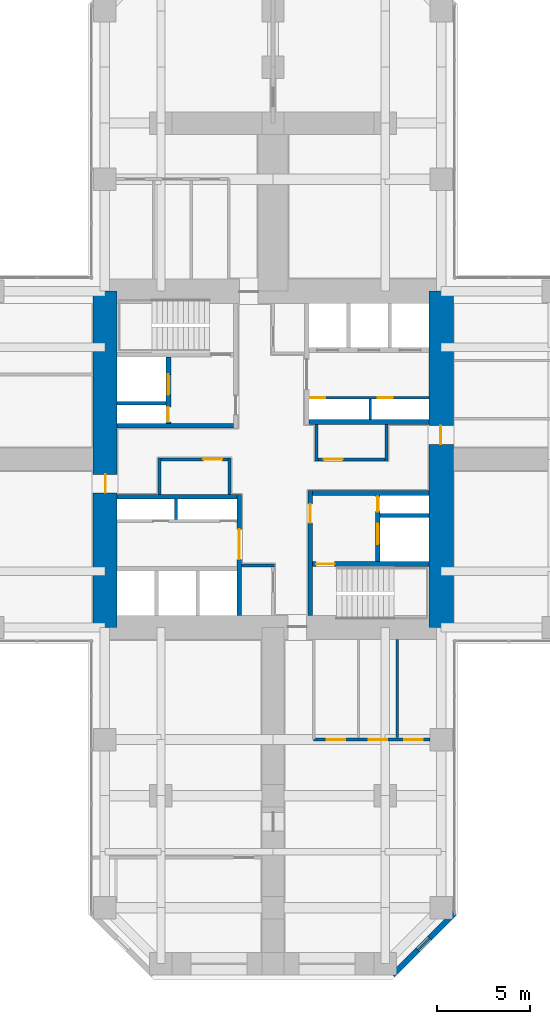
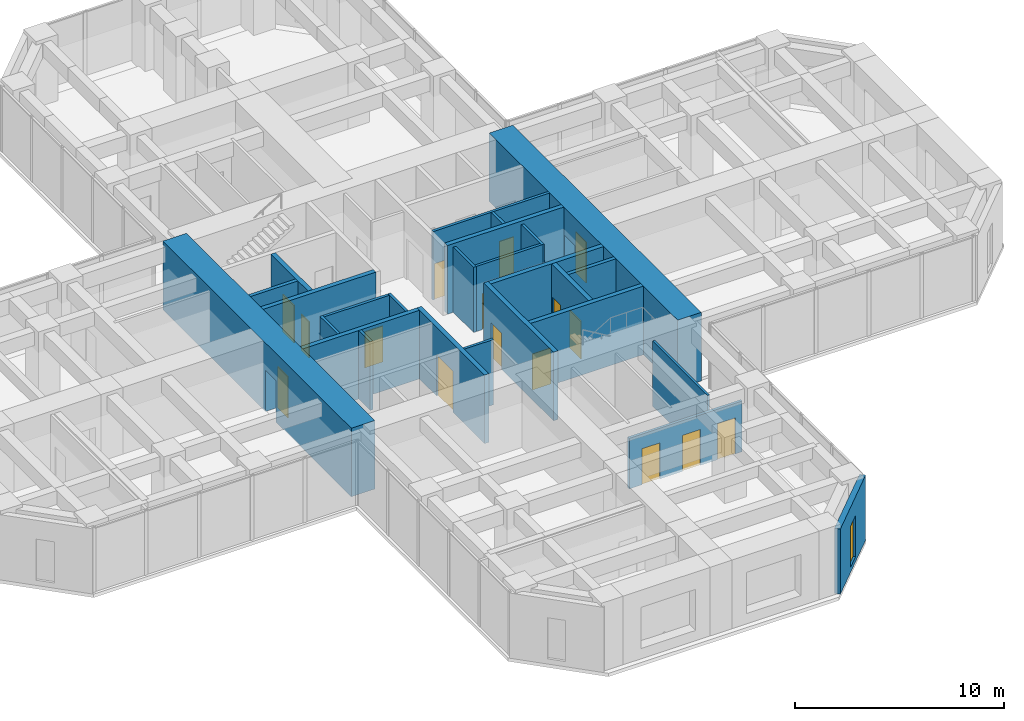
# One storey, part 9 of 12: 26 walls, 16 doors, 1 window, 17 openings.
"""IFC4 building model written with IfcOpenShell, lengths in metres."""

from ifc_helpers import new_model, si_unit, direction, frame, frame_2d, origin, place, context, subcontext, project, spatial, rectangle, hollow_rectangle, extrude, material, layer, layer_set, constituent, constituent_set, type_object, element, fill, save


model = new_model("IFC4")

# Units and contexts
model_context = context("Model", 3, precision=1e-05, world=origin(), true_north=direction((0.0, 1.0)))
body_context = subcontext(model_context, "Body", "Model", "MODEL_VIEW")
ifc_project = project(units=[si_unit("LENGTHUNIT", "METRE"), si_unit("AREAUNIT", "SQUARE_METRE"), si_unit("VOLUMEUNIT", "CUBIC_METRE"), si_unit("PLANEANGLEUNIT", "RADIAN"), si_unit("MASSUNIT", "GRAM", prefix="KILO")], contexts=[model_context])

# Site, building, storey
site_placement = place(None, origin())
site = spatial("IfcSite", under=ifc_project, at=site_placement, CompositionType="ELEMENT")
building_placement = place(site_placement, origin())
building = spatial("IfcBuilding", under=site, at=building_placement, Name="Torre Cruceta", CompositionType="ELEMENT")
storey_placement = place(building_placement, frame((0.0, 0.0, 59.5)))
storey = spatial("IfcBuildingStorey", under=building, at=storey_placement, Name="L14", CompositionType="ELEMENT", Elevation=59.5)

# Walls
ifc_material_1 = material(Name="Concrete G60 (fck 60 MPa)", Category="concrete")
ifc_layer_1 = layer(ifc_material_1, 0.25)
ifc_layer_set_1 = layer_set([ifc_layer_1], Name="Concrete G60 (fck 60 MPa)")
wall_type_1 = type_object("IfcWallType", Name="CORE INNER WALL 250 G60", PredefinedType="SHEAR", material=ifc_layer_set_1)
wall_1_placement = place(storey_placement, frame((1.925048828125, 2.0, 0.0), z_axis=(0.0, 0.0, 1.0), x_axis=(1.0, 0.0, 0.0)))
element("IfcWall", 1, at=wall_1_placement, inside=storey, type_object=wall_type_1, Name="CW4 L14 NE-CV", PredefinedType="SHEAR", context=body_context, shape_type="SweptSolid", body=[
    extrude(rectangle(XDim=6.425048828125, YDim=0.25, at=frame_2d((3.21240234375, 0.0))), origin(), (0.0, 0.0, 1.0), 4.0),
])
wall_2_placement = place(storey_placement, frame((-2.125, 1.800048828125, 0.0), z_axis=(0.0, 0.0, 1.0), x_axis=(-1.0, 0.0, 0.0)))
element("IfcWall", 2, at=wall_2_placement, inside=storey, type_object=wall_type_1, Name="CW4 L14 NW-CV", PredefinedType="SHEAR", context=body_context, shape_type="SweptSolid", body=[
    extrude(rectangle(XDim=6.22509765625, YDim=0.25, at=frame_2d((3.112548828125, 0.0))), origin(), (0.0, 0.0, 1.0), 4.0),
])

# Wall, openings, doors
wall_3_placement = place(storey_placement, frame((-5.60009765625, 1.925048828125, 0.0), z_axis=(0.0, 0.0, 1.0), x_axis=(0.0, 1.0, 0.0)))
wall_3 = element("IfcWall", 3, at=wall_3_placement, inside=storey, type_object=wall_type_1, Name="CW4 L14 NW-FU", PredefinedType="SHEAR", context=body_context, shape_type="SweptSolid", body=[
    extrude(rectangle(XDim=3.550048828125, YDim=0.25, at=frame_2d((1.77490234375, 0.0))), origin(), (0.0, 0.0, 1.0), 4.0),
])
opening_1_placement = place(wall_3_placement, frame((1.52490234375, 0.0, 0.0)))
opening_1 = element("IfcOpeningElement", 4, at=opening_1_placement, cuts=wall_3, Name="Opening LD1", PredefinedType="OPENING", context=body_context, shape_type="SweptSolid", body=[
    extrude(rectangle(XDim=1.10009765625, YDim=2.199951171875, at=frame_2d((0.550048828125, 1.10009765625))), frame((0.0, 0.135009765625, 0.0), z_axis=(0.0, -1.0, 0.0), x_axis=(1.0, 0.0, 0.0)), (0.0, 0.0, 1.0), 0.27001953125),
])
opening_2_placement = place(wall_3_placement, frame((0.074951171875, 0.0, 0.0)))
opening_2 = element("IfcOpeningElement", 5, at=opening_2_placement, cuts=wall_3, Name="Opening D5", PredefinedType="OPENING", context=body_context, shape_type="SweptSolid", body=[
    extrude(rectangle(XDim=0.800048828125, YDim=2.10009765625, at=frame_2d((0.39990234375, 1.050048828125))), frame((0.0, 0.135009765625, 0.0), z_axis=(0.0, -1.0, 0.0), x_axis=(1.0, 0.0, 0.0)), (0.0, 0.0, 1.0), 0.27001953125),
])
ifc_material_2 = material(Name="Stainless steel 1.4401", Category="steel")
door_type_1 = type_object("IfcDoorType", Name="LIFT LANDING DOOR 1100X2200", OperationType="DOUBLE_DOOR_SLIDING", PredefinedType="DOOR", material=ifc_material_2)
door_1_placement = place(opening_1_placement, origin())
door_1 = element("IfcDoor", 6, at=door_1_placement, inside=storey, type_object=door_type_1, Name="Lift landing door FL1", OperationType="DOUBLE_DOOR_SLIDING", OverallHeight=2.199951171875, OverallWidth=1.10009765625, PredefinedType="DOOR", context=body_context, shape_type="SweptSolid", body=[
    extrude(rectangle(XDim=1.10009765625, YDim=2.199951171875, at=frame_2d((0.550048828125, 1.10009765625))), frame((0.0, 0.02490234375, 0.0), z_axis=(0.0, -1.0, 0.0), x_axis=(1.0, 0.0, 0.0)), (0.0, 0.0, 1.0), 0.050048828125),
])
fill(opening_1, door_1)
ifc_material_3 = material(Name="Steel DX51D", Category="steel")
ifc_constituent_1 = constituent(ifc_material_3, Name="Leaf and frame")
ifc_material_4 = material(Name="Polyester powder coating", Category="paint")
ifc_constituent_2 = constituent(ifc_material_4, Name="Finish")
ifc_constituent_set_1 = constituent_set(constituents=[ifc_constituent_1, ifc_constituent_2], Name="Steel fire door")
door_type_2 = type_object("IfcDoorType", Name="RISER ACCESS DOOR 800X2100", OperationType="SINGLE_SWING_LEFT", PredefinedType="DOOR", material=ifc_constituent_set_1)
door_2_placement = place(opening_2_placement, origin())
door_2 = element("IfcDoor", 7, at=door_2_placement, inside=storey, type_object=door_type_2, Name="D5 L14 NW-RISER", OperationType="SINGLE_SWING_LEFT", OverallHeight=2.10009765625, OverallWidth=0.800048828125, PredefinedType="DOOR", context=body_context, shape_type="SweptSolid", body=[
    extrude(rectangle(XDim=0.800048828125, YDim=2.10009765625, at=frame_2d((0.39990234375, 1.050048828125))), frame((0.0, 0.02490234375, 0.0), z_axis=(0.0, -1.0, 0.0), x_axis=(1.0, 0.0, 0.0)), (0.0, 0.0, 1.0), 0.050048828125),
])
fill(opening_2, door_2)

# Wall, opening, door
wall_4_placement = place(storey_placement, frame((-1.800048828125, -1.875, 0.0), z_axis=(0.0, 0.0, 1.0), x_axis=(0.0, -1.0, 0.0)))
wall_4 = element("IfcWall", 8, at=wall_4_placement, inside=storey, type_object=wall_type_1, Name="CW4 L14 SW-CU", PredefinedType="SHEAR", context=body_context, shape_type="SweptSolid", body=[
    extrude(rectangle(XDim=6.47509765625, YDim=0.25, at=frame_2d((3.237548828125, 0.0))), origin(), (0.0, 0.0, 1.0), 4.0),
])
opening_3_placement = place(wall_4_placement, frame((1.875, 0.0, 0.0)))
opening_3 = element("IfcOpeningElement", 9, at=opening_3_placement, cuts=wall_4, Name="Opening D15", PredefinedType="OPENING", context=body_context, shape_type="SweptSolid", body=[
    extrude(rectangle(XDim=1.60009765625, YDim=2.39990234375, at=frame_2d((0.800048828125, 1.199951171875))), frame((0.0, 0.135009765625, 0.0), z_axis=(0.0, -1.0, 0.0), x_axis=(1.0, 0.0, 0.0)), (0.0, 0.0, 1.0), 0.27001953125),
])
ifc_material_5 = material(Name="Steel DX51D", Category="steel")
ifc_constituent_3 = constituent(ifc_material_5, Name="Leaf and frame")
ifc_material_6 = material(Name="Polyester powder coating", Category="paint")
ifc_constituent_4 = constituent(ifc_material_6, Name="Finish")
ifc_constituent_set_2 = constituent_set(constituents=[ifc_constituent_3, ifc_constituent_4], Name="Steel fire door")
door_type_3 = type_object("IfcDoorType", Name="CORE ROOM DOUBLE DOOR 1600X2400", OperationType="DOUBLE_DOOR_SINGLE_SWING", PredefinedType="DOOR", material=ifc_constituent_set_2)
door_3_placement = place(opening_3_placement, frame((1.60009765625, 0.0, 0.0), z_axis=(0.0, 0.0, 1.0), x_axis=(-1.0, 0.0, 0.0)))
door_3 = element("IfcDoor", 10, at=door_3_placement, inside=storey, type_object=door_type_3, Name="D15 L14 SW-LOBBY", OperationType="DOUBLE_DOOR_SINGLE_SWING", OverallHeight=2.39990234375, OverallWidth=1.60009765625, PredefinedType="DOOR", context=body_context, shape_type="SweptSolid", body=[
    extrude(rectangle(XDim=1.60009765625, YDim=2.39990234375, at=frame_2d((0.800048828125, 1.199951171875))), frame((0.0, 0.025146484375, 0.0), z_axis=(0.0, -1.0, 0.0), x_axis=(1.0, 0.0, 0.0)), (0.0, 0.0, 1.0), 0.050048828125),
])
fill(opening_3, door_3)

# Wall
wall_5_placement = place(storey_placement, frame((-1.925048828125, -2.0, 0.0), z_axis=(0.0, 0.0, 1.0), x_axis=(-1.0, 0.0, 0.0)))
element("IfcWall", 11, at=wall_5_placement, inside=storey, type_object=wall_type_1, Name="CW4 L14 SW-CV", PredefinedType="SHEAR", context=body_context, shape_type="SweptSolid", body=[
    extrude(rectangle(XDim=6.425048828125, YDim=0.25, at=frame_2d((3.21240234375, 0.0))), origin(), (0.0, 0.0, 1.0), 4.0),
])

# Wall, opening, door
wall_6_placement = place(storey_placement, frame((2.0, -1.675048828125, 0.0), z_axis=(0.0, 0.0, 1.0), x_axis=(0.0, -1.0, 0.0)))
wall_6 = element("IfcWall", 12, at=wall_6_placement, inside=storey, type_object=wall_type_1, Name="CW4 L14 SE-CU", PredefinedType="SHEAR", context=body_context, shape_type="SweptSolid", body=[
    extrude(rectangle(XDim=6.675048828125, YDim=0.25, at=frame_2d((3.33740234375, 0.0))), origin(), (0.0, 0.0, 1.0), 4.0),
])
opening_4_placement = place(wall_6_placement, frame((0.72509765625, 0.0, 0.0)))
opening_4 = element("IfcOpeningElement", 13, at=opening_4_placement, cuts=wall_6, Name="Opening D3", PredefinedType="OPENING", context=body_context, shape_type="SweptSolid", body=[
    extrude(rectangle(XDim=1.0, YDim=2.10009765625, at=frame_2d((0.5, 1.050048828125))), frame((0.0, 0.135009765625, 0.0), z_axis=(0.0, -1.0, 0.0), x_axis=(1.0, 0.0, 0.0)), (0.0, 0.0, 1.0), 0.27001953125),
])
ifc_material_7 = material(Name="Steel DX51D", Category="steel")
ifc_constituent_5 = constituent(ifc_material_7, Name="Leaf and frame")
ifc_material_8 = material(Name="Polyester powder coating", Category="paint")
ifc_constituent_6 = constituent(ifc_material_8, Name="Finish")
ifc_constituent_set_3 = constituent_set(constituents=[ifc_constituent_5, ifc_constituent_6], Name="Steel fire door")
door_type_4 = type_object("IfcDoorType", Name="FIRE DOOR 1000X2100", OperationType="SINGLE_SWING_LEFT", PredefinedType="DOOR", material=ifc_constituent_set_3)
door_4_placement = place(opening_4_placement, origin())
door_4 = element("IfcDoor", 14, at=door_4_placement, inside=storey, type_object=door_type_4, Name="D3 L14 SE-LOBBY", OperationType="SINGLE_SWING_LEFT", OverallHeight=2.10009765625, OverallWidth=1.0, PredefinedType="DOOR", context=body_context, shape_type="SweptSolid", body=[
    extrude(rectangle(XDim=1.0, YDim=2.10009765625, at=frame_2d((0.5, 1.050048828125))), frame((0.0, 0.02490234375, 0.0), z_axis=(0.0, -1.0, 0.0), x_axis=(1.0, 0.0, 0.0)), (0.0, 0.0, 1.0), 0.050048828125),
])
fill(opening_4, door_4)

# Wall
wall_7_placement = place(storey_placement, frame((2.125, -1.800048828125, 0.0), z_axis=(0.0, 0.0, 1.0), x_axis=(1.0, 0.0, 0.0)))
element("IfcWall", 15, at=wall_7_placement, inside=storey, type_object=wall_type_1, Name="CW4 L14 SE-CV", PredefinedType="SHEAR", context=body_context, shape_type="SweptSolid", body=[
    extrude(rectangle(XDim=6.22509765625, YDim=0.25, at=frame_2d((3.112548828125, 0.0))), origin(), (0.0, 0.0, 1.0), 4.0),
])

# Wall, opening, door
wall_8_placement = place(storey_placement, frame((2.125, -5.60009765625, 0.0), z_axis=(0.0, 0.0, 1.0), x_axis=(1.0, 0.0, 0.0)))
wall_8 = element("IfcWall", 16, at=wall_8_placement, inside=storey, type_object=wall_type_1, Name="CW4 L14 SE-SV", PredefinedType="SHEAR", context=body_context, shape_type="SweptSolid", body=[
    extrude(rectangle(XDim=6.22509765625, YDim=0.25, at=frame_2d((3.112548828125, 0.0))), origin(), (0.0, 0.0, 1.0), 4.0),
])
opening_5_placement = place(wall_8_placement, frame((0.175048828125, 0.0, 0.0)))
opening_5 = element("IfcOpeningElement", 17, at=opening_5_placement, cuts=wall_8, Name="Opening D3", PredefinedType="OPENING", context=body_context, shape_type="SweptSolid", body=[
    extrude(rectangle(XDim=1.0, YDim=2.10009765625, at=frame_2d((0.5, 1.050048828125))), frame((0.0, 0.135009765625, 0.0), z_axis=(0.0, -1.0, 0.0), x_axis=(1.0, 0.0, 0.0)), (0.0, 0.0, 1.0), 0.27001953125),
])
door_5_placement = place(opening_5_placement, frame((1.0, 0.0, 0.0), z_axis=(0.0, 0.0, 1.0), x_axis=(-1.0, 0.0, 0.0)))
door_5 = element("IfcDoor", 18, at=door_5_placement, inside=storey, type_object=door_type_4, Name="D3 L14 SE-STAIR", OperationType="SINGLE_SWING_RIGHT", OverallHeight=2.10009765625, OverallWidth=1.0, PredefinedType="DOOR", context=body_context, shape_type="SweptSolid", body=[
    extrude(rectangle(XDim=1.0, YDim=2.10009765625, at=frame_2d((0.5, 1.050048828125))), frame((0.0, 0.025146484375, 0.0), z_axis=(0.0, -1.0, 0.0), x_axis=(1.0, 0.0, 0.0)), (0.0, 0.0, 1.0), 0.050048828125),
])
fill(opening_5, door_5)

# Wall, openings, doors
wall_9_placement = place(storey_placement, frame((5.60009765625, -1.925048828125, 0.0), z_axis=(0.0, 0.0, 1.0), x_axis=(0.0, -1.0, 0.0)))
wall_9 = element("IfcWall", 19, at=wall_9_placement, inside=storey, type_object=wall_type_1, Name="CW4 L14 SE-FU", PredefinedType="SHEAR", context=body_context, shape_type="SweptSolid", body=[
    extrude(rectangle(XDim=3.550048828125, YDim=0.25, at=frame_2d((1.77490234375, 0.0))), origin(), (0.0, 0.0, 1.0), 4.0),
])
opening_6_placement = place(wall_9_placement, frame((1.52490234375, 0.0, 0.0)))
opening_6 = element("IfcOpeningElement", 20, at=opening_6_placement, cuts=wall_9, Name="Opening LD1", PredefinedType="OPENING", context=body_context, shape_type="SweptSolid", body=[
    extrude(rectangle(XDim=1.10009765625, YDim=2.199951171875, at=frame_2d((0.550048828125, 1.10009765625))), frame((0.0, 0.135009765625, 0.0), z_axis=(0.0, -1.0, 0.0), x_axis=(1.0, 0.0, 0.0)), (0.0, 0.0, 1.0), 0.27001953125),
])
opening_7_placement = place(wall_9_placement, frame((0.074951171875, 0.0, 0.0)))
opening_7 = element("IfcOpeningElement", 21, at=opening_7_placement, cuts=wall_9, Name="Opening D5", PredefinedType="OPENING", context=body_context, shape_type="SweptSolid", body=[
    extrude(rectangle(XDim=0.800048828125, YDim=2.10009765625, at=frame_2d((0.39990234375, 1.050048828125))), frame((0.0, 0.135009765625, 0.0), z_axis=(0.0, -1.0, 0.0), x_axis=(1.0, 0.0, 0.0)), (0.0, 0.0, 1.0), 0.27001953125),
])
door_6_placement = place(opening_6_placement, origin())
door_6 = element("IfcDoor", 22, at=door_6_placement, inside=storey, type_object=door_type_1, Name="Lift landing door FL2", OperationType="DOUBLE_DOOR_SLIDING", OverallHeight=2.199951171875, OverallWidth=1.10009765625, PredefinedType="DOOR", context=body_context, shape_type="SweptSolid", body=[
    extrude(rectangle(XDim=1.10009765625, YDim=2.199951171875, at=frame_2d((0.550048828125, 1.10009765625))), frame((0.0, 0.02490234375, 0.0), z_axis=(0.0, -1.0, 0.0), x_axis=(1.0, 0.0, 0.0)), (0.0, 0.0, 1.0), 0.050048828125),
])
fill(opening_6, door_6)
door_7_placement = place(opening_7_placement, origin())
door_7 = element("IfcDoor", 23, at=door_7_placement, inside=storey, type_object=door_type_2, Name="D5 L14 SE-RISER", OperationType="SINGLE_SWING_LEFT", OverallHeight=2.10009765625, OverallWidth=0.800048828125, PredefinedType="DOOR", context=body_context, shape_type="SweptSolid", body=[
    extrude(rectangle(XDim=0.800048828125, YDim=2.10009765625, at=frame_2d((0.39990234375, 1.050048828125))), frame((0.0, 0.02490234375, 0.0), z_axis=(0.0, -1.0, 0.0), x_axis=(1.0, 0.0, 0.0)), (0.0, 0.0, 1.0), 0.050048828125),
])
fill(opening_7, door_7)

# Wall, opening, door
ifc_material_9 = material(Name="Concrete G60 (fck 60 MPa)", Category="concrete")
ifc_layer_2 = layer(ifc_material_9, 1.300048828125)
ifc_layer_set_2 = layer_set([ifc_layer_2], Name="Concrete G60 (fck 60 MPa)")
wall_type_2 = type_object("IfcWallType", Name="CORE WALL 1300 G60", PredefinedType="SHEAR", material=ifc_layer_set_2)
wall_10_placement = place(storey_placement, frame((9.0, -9.0, 0.0), z_axis=(0.0, 0.0, 1.0), x_axis=(0.0, 1.0, 0.0)))
wall_10 = element("IfcWall", 24, at=wall_10_placement, inside=storey, type_object=wall_type_2, Name="CW1 L14 CW-E", PredefinedType="SHEAR", context=body_context, shape_type="SweptSolid", body=[
    extrude(rectangle(XDim=18.0, YDim=1.300048828125, at=frame_2d((9.0, 0.0))), origin(), (0.0, 0.0, 1.0), 4.0),
])
opening_8_placement = place(wall_10_placement, frame((9.800048828125, 0.0, 0.0)))
opening_8 = element("IfcOpeningElement", 25, at=opening_8_placement, cuts=wall_10, Name="Opening D4", PredefinedType="OPENING", context=body_context, shape_type="SweptSolid", body=[
    extrude(rectangle(XDim=1.0, YDim=2.39990234375, at=frame_2d((0.5, 1.199951171875))), frame((0.0, 0.659912109375, 0.0), z_axis=(0.0, -1.0, 0.0), x_axis=(1.0, 0.0, 0.0)), (0.0, 0.0, 1.0), 1.320068359375),
])
ifc_material_10 = material(Name="Steel DX51D", Category="steel")
ifc_constituent_7 = constituent(ifc_material_10, Name="Leaf and frame")
ifc_material_11 = material(Name="Polyester powder coating", Category="paint")
ifc_constituent_8 = constituent(ifc_material_11, Name="Finish")
ifc_constituent_set_4 = constituent_set(constituents=[ifc_constituent_7, ifc_constituent_8], Name="Steel fire door")
door_type_5 = type_object("IfcDoorType", Name="CORE ARM DOOR 1000X2400", OperationType="SINGLE_SWING_RIGHT", PredefinedType="DOOR", material=ifc_constituent_set_4)
door_8_placement = place(opening_8_placement, frame((1.0, 0.0, 0.0), z_axis=(0.0, 0.0, 1.0), x_axis=(-1.0, 0.0, 0.0)))
door_8 = element("IfcDoor", 26, at=door_8_placement, inside=storey, type_object=door_type_5, Name="D4 L14 CW-E", OperationType="SINGLE_SWING_RIGHT", OverallHeight=2.39990234375, OverallWidth=1.0, PredefinedType="DOOR", context=body_context, shape_type="SweptSolid", body=[
    extrude(rectangle(XDim=1.0, YDim=2.39990234375, at=frame_2d((0.5, 1.199951171875))), frame((0.0, -0.005126953125, 0.0), z_axis=(0.0, -1.0, 0.0), x_axis=(1.0, 0.0, 0.0)), (0.0, 0.0, 1.0), 0.050048828125),
])
fill(opening_8, door_8)

wall_11_placement = place(storey_placement, frame((-9.0, 9.0, 0.0), z_axis=(0.0, 0.0, 1.0), x_axis=(0.0, -1.0, 0.0)))
wall_11 = element("IfcWall", 27, at=wall_11_placement, inside=storey, type_object=wall_type_2, Name="CW1 L14 CW-W", PredefinedType="SHEAR", context=body_context, shape_type="SweptSolid", body=[
    extrude(rectangle(XDim=18.0, YDim=1.300048828125, at=frame_2d((9.0, 0.0))), origin(), (0.0, 0.0, 1.0), 4.0),
])
opening_9_placement = place(wall_11_placement, frame((9.800048828125, 0.0, 0.0)))
opening_9 = element("IfcOpeningElement", 28, at=opening_9_placement, cuts=wall_11, Name="Opening D4", PredefinedType="OPENING", context=body_context, shape_type="SweptSolid", body=[
    extrude(rectangle(XDim=1.0, YDim=2.39990234375, at=frame_2d((0.5, 1.199951171875))), frame((0.0, 0.659912109375, 0.0), z_axis=(0.0, -1.0, 0.0), x_axis=(1.0, 0.0, 0.0)), (0.0, 0.0, 1.0), 1.320068359375),
])
door_9_placement = place(opening_9_placement, frame((1.0, 0.0, 0.0), z_axis=(0.0, 0.0, 1.0), x_axis=(-1.0, 0.0, 0.0)))
door_9 = element("IfcDoor", 29, at=door_9_placement, inside=storey, type_object=door_type_5, Name="D4 L14 CW-W", OperationType="SINGLE_SWING_RIGHT", OverallHeight=2.39990234375, OverallWidth=1.0, PredefinedType="DOOR", context=body_context, shape_type="SweptSolid", body=[
    extrude(rectangle(XDim=1.0, YDim=2.39990234375, at=frame_2d((0.5, 1.199951171875))), frame((0.0, -0.005126953125, 0.0), z_axis=(0.0, -1.0, 0.0), x_axis=(1.0, 0.0, 0.0)), (0.0, 0.0, 1.0), 0.050048828125),
])
fill(opening_9, door_9)

# Wall, opening, window
ifc_material_12 = material(Name="Concrete G30 (fck 30 MPa)", Category="concrete")
ifc_layer_3 = layer(ifc_material_12, 0.300048828125)
ifc_layer_set_3 = layer_set([ifc_layer_3], Name="Concrete G30 (fck 30 MPa)")
wall_type_3 = type_object("IfcWallType", Name="EXPOSED CONCRETE FACADE WALL 300", PredefinedType="SOLIDWALL", material=ifc_layer_set_3)
wall_12_placement = place(storey_placement, frame((6.418212890625, -27.60009765625, 0.0), z_axis=(0.0, 0.0, 1.0), x_axis=(0.707106781187, 0.707106781187, 0.0)))
wall_12 = element("IfcWall", 30, at=wall_12_placement, inside=storey, type_object=wall_type_3, Name="EW1 facade wall L14 S chamfer 18", PredefinedType="SOLIDWALL", context=body_context, shape_type="SweptSolid", body=[
    extrude(rectangle(XDim=4.66943359375, YDim=0.300048828125, at=frame_2d((2.334716796875, 0.0))), origin(), (0.0, 0.0, 1.0), 3.800048828125),
])
opening_10_placement = place(wall_12_placement, frame((1.884765625, 0.0, 0.300048828125)))
opening_10 = element("IfcOpeningElement", 31, at=opening_10_placement, cuts=wall_12, Name="Opening WN5", PredefinedType="OPENING", context=body_context, shape_type="SweptSolid", body=[
    extrude(rectangle(XDim=0.89990234375, YDim=2.39990234375, at=frame_2d((0.449951171875, 1.199951171875))), frame((0.0, 0.159912109375, 0.0), z_axis=(0.0, -1.0, 0.0), x_axis=(1.0, 0.0, 0.0)), (0.0, 0.0, 1.0), 0.320068359375),
])
ifc_material_13 = material(Name="Aluminium window frame", Category="aluminium")
ifc_constituent_9 = constituent(ifc_material_13, Name="Frame")
ifc_material_14 = material(Name="Laminated insulating glass unit, low-iron clear", Category="glass")
ifc_constituent_10 = constituent(ifc_material_14, Name="Glazing")
ifc_constituent_set_5 = constituent_set(constituents=[ifc_constituent_9, ifc_constituent_10], Name="Aluminium window")
window_type = type_object("IfcWindowType", Name="CHAMFER SLOT WINDOW 900X2400", PartitioningType="SINGLE_PANEL", PredefinedType="WINDOW", material=ifc_constituent_set_5)
window_placement = place(opening_10_placement, origin())
window = element("IfcWindow", 32, at=window_placement, inside=storey, type_object=window_type, Name="WN5 L14 S 1", OverallHeight=2.39990234375, OverallWidth=0.89990234375, PartitioningType="SINGLE_PANEL", PredefinedType="WINDOW", context=body_context, shape_type="SweptSolid", body=[
    extrude(hollow_rectangle(XDim=0.89990234375, YDim=2.39990234375, WallThickness=0.06005859375, at=frame_2d((0.449951171875, 1.199951171875))), frame((0.0, 0.030029296875, 0.0), z_axis=(0.0, -1.0, 0.0), x_axis=(1.0, 0.0, 0.0)), (0.0, 0.0, 1.0), 0.06005859375),
    extrude(rectangle(XDim=0.77880859375, YDim=2.27880859375, at=frame_2d((0.449951171875, 1.199951171875))), frame((0.0, 0.030029296875, 0.0), z_axis=(0.0, -1.0, 0.0), x_axis=(1.0, 0.0, 0.0)), (0.0, 0.0, 1.0), 0.06005859375),
])
fill(opening_10, window)

# Walls
ifc_material_15 = material(Name="Concrete G35 (fck 35 MPa)", Category="concrete")
ifc_layer_4 = layer(ifc_material_15, 0.199951171875)
ifc_layer_set_4 = layer_set([ifc_layer_4], Name="Concrete G35 (fck 35 MPa)")
wall_type_4 = type_object("IfcWallType", Name="LIFT SHAFT WALL 200", PredefinedType="PARTITIONING", material=ifc_layer_set_4)
for number, where, z_axis, x_axis, name in (
    (33, (-5.72509765625, 3.0, 0.0), (0.0, 0.0, 1.0), (-1.0, 0.0, 0.0), "SW1 L14 NW-FR"),
    (34, (5.72509765625, -3.0, 0.0), (0.0, 0.0, 1.0), (1.0, 0.0, 0.0), "SW1 L14 SE-FR"),
):
    element("IfcWall", number, at=place(storey_placement, frame(where, z_axis=z_axis, x_axis=x_axis)), inside=storey, type_object=wall_type_4, Name=name, PredefinedType="PARTITIONING", context=body_context, shape_type="SweptSolid", body=[
        extrude(rectangle(XDim=2.625, YDim=0.199951171875, at=frame_2d((1.3125, 0.0))), origin(), (0.0, 0.0, 1.0), 4.0),
    ])

# Wall, opening, door
ifc_material_16 = material(Name="Plasterboard on steel studs", Category="steel")
ifc_layer_5 = layer(ifc_material_16, 0.14990234375)
ifc_layer_set_5 = layer_set([ifc_layer_5], Name="Plasterboard on steel studs")
wall_type_5 = type_object("IfcWallType", Name="PARTITION 150", PredefinedType="PARTITIONING", material=ifc_layer_set_5)
wall_13_placement = place(storey_placement, frame((2.324951171875, 0.0, 0.0), z_axis=(0.0, 0.0, 1.0), x_axis=(1.0, 0.0, 0.0)))
wall_13 = element("IfcWall", 35, at=wall_13_placement, inside=storey, type_object=wall_type_5, Name="PT1 L14-CORE-LEGE-N-W1", PredefinedType="PARTITIONING", context=body_context, shape_type="SweptSolid", body=[
    extrude(rectangle(XDim=3.75, YDim=0.14990234375, at=frame_2d((1.875, 0.0))), origin(), (0.0, 0.0, 1.0), 3.800048828125),
])
opening_11_placement = place(wall_13_placement, frame((0.39990234375, 0.0, 0.0)))
opening_11 = element("IfcOpeningElement", 36, at=opening_11_placement, cuts=wall_13, Name="Opening D3", PredefinedType="OPENING", context=body_context, shape_type="SweptSolid", body=[
    extrude(rectangle(XDim=1.0, YDim=2.10009765625, at=frame_2d((0.5, 1.050048828125))), frame((0.0, 0.0849609375, 0.0), z_axis=(0.0, -1.0, 0.0), x_axis=(1.0, 0.0, 0.0)), (0.0, 0.0, 1.0), 0.169921875),
])
door_10_placement = place(opening_11_placement, origin())
door_10 = element("IfcDoor", 37, at=door_10_placement, inside=storey, type_object=door_type_4, Name="D3 L14-CORE-LEGE-N-W1-D1", OperationType="SINGLE_SWING_LEFT", OverallHeight=2.10009765625, OverallWidth=1.0, PredefinedType="DOOR", context=body_context, shape_type="SweptSolid", body=[
    extrude(rectangle(XDim=1.0, YDim=2.10009765625, at=frame_2d((0.5, 1.050048828125))), frame((0.0, 0.02490234375, 0.0), z_axis=(0.0, -1.0, 0.0), x_axis=(1.0, 0.0, 0.0)), (0.0, 0.0, 1.0), 0.050048828125),
])
fill(opening_11, door_10)

# Walls
for number, where, z_axis, x_axis, name in (
    (38, (2.324951171875, 1.875, 0.0), (0.0, 0.0, 1.0), (0.0, -1.0, 0.0), "PT1 L14-CORE-LEGE-N-W2"),
    (39, (6.074951171875, -0.074951171875, 0.0), (0.0, 0.0, 1.0), (0.0, 1.0, 0.0), "PT1 L14-CORE-LEGE-N-W3"),
):
    element("IfcWall", number, at=place(storey_placement, frame(where, z_axis=z_axis, x_axis=x_axis)), inside=storey, type_object=wall_type_5, Name=name, PredefinedType="PARTITIONING", context=body_context, shape_type="SweptSolid", body=[
        extrude(rectangle(XDim=1.949951171875, YDim=0.14990234375, at=frame_2d((0.97509765625, 0.0))), origin(), (0.0, 0.0, 1.0), 3.800048828125),
    ])

# Wall, opening, door
wall_14_placement = place(storey_placement, frame((-2.324951171875, 0.0, 0.0), z_axis=(0.0, 0.0, 1.0), x_axis=(-1.0, 0.0, 0.0)))
wall_14 = element("IfcWall", 40, at=wall_14_placement, inside=storey, type_object=wall_type_5, Name="PT1 L14-CORE-LEGW-S-W1", PredefinedType="PARTITIONING", context=body_context, shape_type="SweptSolid", body=[
    extrude(rectangle(XDim=3.75, YDim=0.14990234375, at=frame_2d((1.875, 0.0))), origin(), (0.0, 0.0, 1.0), 3.800048828125),
])
opening_12_placement = place(wall_14_placement, frame((0.39990234375, 0.0, 0.0)))
opening_12 = element("IfcOpeningElement", 41, at=opening_12_placement, cuts=wall_14, Name="Opening D3", PredefinedType="OPENING", context=body_context, shape_type="SweptSolid", body=[
    extrude(rectangle(XDim=1.0, YDim=2.10009765625, at=frame_2d((0.5, 1.050048828125))), frame((0.0, 0.0849609375, 0.0), z_axis=(0.0, -1.0, 0.0), x_axis=(1.0, 0.0, 0.0)), (0.0, 0.0, 1.0), 0.169921875),
])
door_11_placement = place(opening_12_placement, origin())
door_11 = element("IfcDoor", 42, at=door_11_placement, inside=storey, type_object=door_type_4, Name="D3 L14-CORE-LEGW-S-W1-D1", OperationType="SINGLE_SWING_LEFT", OverallHeight=2.10009765625, OverallWidth=1.0, PredefinedType="DOOR", context=body_context, shape_type="SweptSolid", body=[
    extrude(rectangle(XDim=1.0, YDim=2.10009765625, at=frame_2d((0.5, 1.050048828125))), frame((0.0, 0.02490234375, 0.0), z_axis=(0.0, -1.0, 0.0), x_axis=(1.0, 0.0, 0.0)), (0.0, 0.0, 1.0), 0.050048828125),
])
fill(opening_12, door_11)

# Walls
for number, where, z_axis, x_axis, name in (
    (43, (-2.324951171875, -1.875, 0.0), (0.0, 0.0, 1.0), (0.0, 1.0, 0.0), "PT1 L14-CORE-LEGW-S-W2"),
    (44, (-6.074951171875, 0.074951171875, 0.0), (0.0, 0.0, 1.0), (0.0, -1.0, 0.0), "PT1 L14-CORE-LEGW-S-W3"),
):
    element("IfcWall", number, at=place(storey_placement, frame(where, z_axis=z_axis, x_axis=x_axis)), inside=storey, type_object=wall_type_5, Name=name, PredefinedType="PARTITIONING", context=body_context, shape_type="SweptSolid", body=[
        extrude(rectangle(XDim=1.949951171875, YDim=0.14990234375, at=frame_2d((0.97509765625, 0.0))), origin(), (0.0, 0.0, 1.0), 3.800048828125),
    ])
wall_15_placement = place(storey_placement, frame((-1.675048828125, -5.675048828125, 0.0), z_axis=(0.0, 0.0, 1.0), x_axis=(1.0, 0.0, 0.0)))
element("IfcWall", 45, at=wall_15_placement, inside=storey, type_object=wall_type_5, Name="PT1 L14-CORE-LEGS-W-W2", PredefinedType="PARTITIONING", context=body_context, shape_type="SweptSolid", body=[
    extrude(rectangle(XDim=1.75, YDim=0.14990234375, at=frame_2d((0.875, 0.0))), origin(), (0.0, 0.0, 1.0), 3.800048828125),
])

# Wall, openings, doors
wall_16_placement = place(storey_placement, frame((2.175048828125, -15.0, 0.0), z_axis=(0.0, 0.0, 1.0), x_axis=(1.0, 0.0, 0.0)))
wall_16 = element("IfcWall", 46, at=wall_16_placement, inside=storey, type_object=wall_type_5, Name="PT1 L14-S-BFL", PredefinedType="PARTITIONING", context=body_context, shape_type="SweptSolid", body=[
    extrude(rectangle(XDim=6.224853515625, YDim=0.14990234375, at=frame_2d((3.1123046875, 0.0))), origin(), (0.0, 0.0, 1.0), 2.949951171875),
])
opening_13_placement = place(wall_16_placement, frame((0.699951171875, 0.0, 0.0)))
opening_13 = element("IfcOpeningElement", 47, at=opening_13_placement, cuts=wall_16, Name="Opening D3", PredefinedType="OPENING", context=body_context, shape_type="SweptSolid", body=[
    extrude(rectangle(XDim=1.0, YDim=2.10009765625, at=frame_2d((0.5, 1.050048828125))), frame((0.0, 0.0849609375, 0.0), z_axis=(0.0, -1.0, 0.0), x_axis=(1.0, 0.0, 0.0)), (0.0, 0.0, 1.0), 0.169921875),
])
opening_14_placement = place(wall_16_placement, frame((2.9375, 0.0, 0.0)))
opening_14 = element("IfcOpeningElement", 48, at=opening_14_placement, cuts=wall_16, Name="Opening D3", PredefinedType="OPENING", context=body_context, shape_type="SweptSolid", body=[
    extrude(rectangle(XDim=1.0, YDim=2.10009765625, at=frame_2d((0.5, 1.050048828125))), frame((0.0, 0.0849609375, 0.0), z_axis=(0.0, -1.0, 0.0), x_axis=(1.0, 0.0, 0.0)), (0.0, 0.0, 1.0), 0.169921875),
])
opening_15_placement = place(wall_16_placement, frame((4.85009765625, 0.0, 0.0)))
opening_15 = element("IfcOpeningElement", 49, at=opening_15_placement, cuts=wall_16, Name="Opening D3", PredefinedType="OPENING", context=body_context, shape_type="SweptSolid", body=[
    extrude(rectangle(XDim=1.0, YDim=2.10009765625, at=frame_2d((0.5, 1.050048828125))), frame((0.0, 0.0849609375, 0.0), z_axis=(0.0, -1.0, 0.0), x_axis=(1.0, 0.0, 0.0)), (0.0, 0.0, 1.0), 0.169921875),
])
door_12_placement = place(opening_13_placement, origin())
door_12 = element("IfcDoor", 50, at=door_12_placement, inside=storey, type_object=door_type_4, Name="D3 L14-S-BFL-D1", OperationType="SINGLE_SWING_LEFT", OverallHeight=2.10009765625, OverallWidth=1.0, PredefinedType="DOOR", context=body_context, shape_type="SweptSolid", body=[
    extrude(rectangle(XDim=1.0, YDim=2.10009765625, at=frame_2d((0.5, 1.050048828125))), frame((0.0, 0.02490234375, 0.0), z_axis=(0.0, -1.0, 0.0), x_axis=(1.0, 0.0, 0.0)), (0.0, 0.0, 1.0), 0.050048828125),
])
fill(opening_13, door_12)
door_13_placement = place(opening_14_placement, origin())
door_13 = element("IfcDoor", 51, at=door_13_placement, inside=storey, type_object=door_type_4, Name="D3 L14-S-BFL-D2", OperationType="SINGLE_SWING_RIGHT", OverallHeight=2.10009765625, OverallWidth=1.0, PredefinedType="DOOR", context=body_context, shape_type="SweptSolid", body=[
    extrude(rectangle(XDim=1.0, YDim=2.10009765625, at=frame_2d((0.5, 1.050048828125))), frame((0.0, 0.02490234375, 0.0), z_axis=(0.0, -1.0, 0.0), x_axis=(1.0, 0.0, 0.0)), (0.0, 0.0, 1.0), 0.050048828125),
])
fill(opening_14, door_13)
door_14_placement = place(opening_15_placement, origin())
door_14 = element("IfcDoor", 52, at=door_14_placement, inside=storey, type_object=door_type_4, Name="D3 L14-S-BFL-D3", OperationType="SINGLE_SWING_LEFT", OverallHeight=2.10009765625, OverallWidth=1.0, PredefinedType="DOOR", context=body_context, shape_type="SweptSolid", body=[
    extrude(rectangle(XDim=1.0, YDim=2.10009765625, at=frame_2d((0.5, 1.050048828125))), frame((0.0, 0.02490234375, 0.0), z_axis=(0.0, -1.0, 0.0), x_axis=(1.0, 0.0, 0.0)), (0.0, 0.0, 1.0), 0.050048828125),
])
fill(opening_15, door_14)

ifc_material_17 = material(Name="Concrete block masonry", Category="masonry")
ifc_layer_6 = layer(ifc_material_17, 0.14990234375)
ifc_layer_set_6 = layer_set([ifc_layer_6], Name="Concrete block masonry")
wall_type_6 = type_object("IfcWallType", Name="RISER WALL 150", PredefinedType="PARTITIONING", material=ifc_layer_set_6)
wall_17_placement = place(storey_placement, frame((1.925048828125, 3.300048828125, 0.0), z_axis=(0.0, 0.0, 1.0), x_axis=(1.0, 0.0, 0.0)))
wall_17 = element("IfcWall", 53, at=wall_17_placement, inside=storey, type_object=wall_type_6, Name="SW7 L14 NE-RV", PredefinedType="PARTITIONING", context=body_context, shape_type="SweptSolid", body=[
    extrude(rectangle(XDim=6.425048828125, YDim=0.14990234375, at=frame_2d((3.21240234375, 0.0))), origin(), (0.0, 0.0, 1.0), 4.0),
])
opening_16_placement = place(wall_17_placement, frame((0.074951171875, 0.0, 0.0)))
opening_16 = element("IfcOpeningElement", 54, at=opening_16_placement, cuts=wall_17, Name="Opening D5", PredefinedType="OPENING", context=body_context, shape_type="SweptSolid", body=[
    extrude(rectangle(XDim=0.800048828125, YDim=2.10009765625, at=frame_2d((0.39990234375, 1.050048828125))), frame((0.0, 0.0849609375, 0.0), z_axis=(0.0, -1.0, 0.0), x_axis=(1.0, 0.0, 0.0)), (0.0, 0.0, 1.0), 0.169921875),
])
opening_17_placement = place(wall_17_placement, frame((3.675048828125, 0.0, 0.0)))
opening_17 = element("IfcOpeningElement", 55, at=opening_17_placement, cuts=wall_17, Name="Opening D5", PredefinedType="OPENING", context=body_context, shape_type="SweptSolid", body=[
    extrude(rectangle(XDim=0.800048828125, YDim=2.10009765625, at=frame_2d((0.39990234375, 1.050048828125))), frame((0.0, 0.0849609375, 0.0), z_axis=(0.0, -1.0, 0.0), x_axis=(1.0, 0.0, 0.0)), (0.0, 0.0, 1.0), 0.169921875),
])
door_15_placement = place(opening_16_placement, frame((0.800048828125, 0.0, 0.0), z_axis=(0.0, 0.0, 1.0), x_axis=(-1.0, 0.0, 0.0)))
door_15 = element("IfcDoor", 56, at=door_15_placement, inside=storey, type_object=door_type_2, Name="D5 L14 NE-RISER1", OperationType="SINGLE_SWING_RIGHT", OverallHeight=2.10009765625, OverallWidth=0.800048828125, PredefinedType="DOOR", context=body_context, shape_type="SweptSolid", body=[
    extrude(rectangle(XDim=0.800048828125, YDim=2.10009765625, at=frame_2d((0.400146484375, 1.050048828125))), frame((0.0, 0.025146484375, 0.0), z_axis=(0.0, -1.0, 0.0), x_axis=(1.0, 0.0, 0.0)), (0.0, 0.0, 1.0), 0.050048828125),
])
fill(opening_16, door_15)
door_16_placement = place(opening_17_placement, frame((0.800048828125, 0.0, 0.0), z_axis=(0.0, 0.0, 1.0), x_axis=(-1.0, 0.0, 0.0)))
door_16 = element("IfcDoor", 57, at=door_16_placement, inside=storey, type_object=door_type_2, Name="D5 L14 NE-RISER2", OperationType="SINGLE_SWING_RIGHT", OverallHeight=2.10009765625, OverallWidth=0.800048828125, PredefinedType="DOOR", context=body_context, shape_type="SweptSolid", body=[
    extrude(rectangle(XDim=0.800048828125, YDim=2.10009765625, at=frame_2d((0.400146484375, 1.050048828125))), frame((0.0, 0.025146484375, 0.0), z_axis=(0.0, -1.0, 0.0), x_axis=(1.0, 0.0, 0.0)), (0.0, 0.0, 1.0), 0.050048828125),
])
fill(opening_17, door_16)

# Walls
for number, where, z_axis, x_axis, name in (
    (58, (5.199951171875, 2.125, 0.0), (0.0, 0.0, 1.0), (0.0, 1.0, 0.0), "SW7 L14 NE-RU"),
    (59, (-5.199951171875, -2.125, 0.0), (0.0, 0.0, 1.0), (0.0, -1.0, 0.0), "SW7 L14 SW-RU"),
):
    element("IfcWall", number, at=place(storey_placement, frame(where, z_axis=z_axis, x_axis=x_axis)), inside=storey, type_object=wall_type_6, Name=name, PredefinedType="PARTITIONING", context=body_context, shape_type="SweptSolid", body=[
        extrude(rectangle(XDim=1.10009765625, YDim=0.14990234375, at=frame_2d((0.550048828125, 0.0))), origin(), (0.0, 0.0, 1.0), 4.0),
    ])
ifc_material_18 = material(Name="Plasterboard on steel studs", Category="steel")
ifc_layer_7 = layer(ifc_material_18, 0.1201171875)
ifc_layer_set_7 = layer_set([ifc_layer_7], Name="Plasterboard on steel studs")
wall_type_7 = type_object("IfcWallType", Name="WC PARTITION 120", PredefinedType="PLUMBINGWALL", material=ifc_layer_set_7)
wall_18_placement = place(storey_placement, frame((6.64990234375, -9.64990234375, 0.0), z_axis=(0.0, 0.0, 1.0), x_axis=(0.0, -1.0, 0.0)))
element("IfcWall", 60, at=wall_18_placement, inside=storey, type_object=wall_type_7, Name="PT5 L14-S-BDL2", PredefinedType="PLUMBINGWALL", context=body_context, shape_type="SweptSolid", body=[
    extrude(rectangle(XDim=5.25, YDim=0.1201171875, at=frame_2d((2.625, 0.0))), origin(), (0.0, 0.0, 1.0), 3.800048828125),
])

save(model, "model.ifc")
